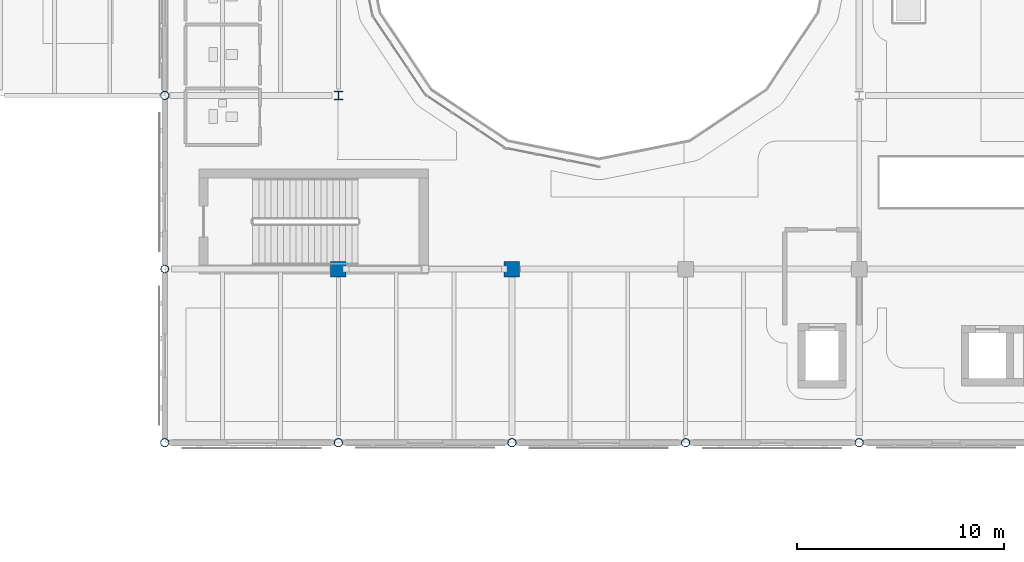
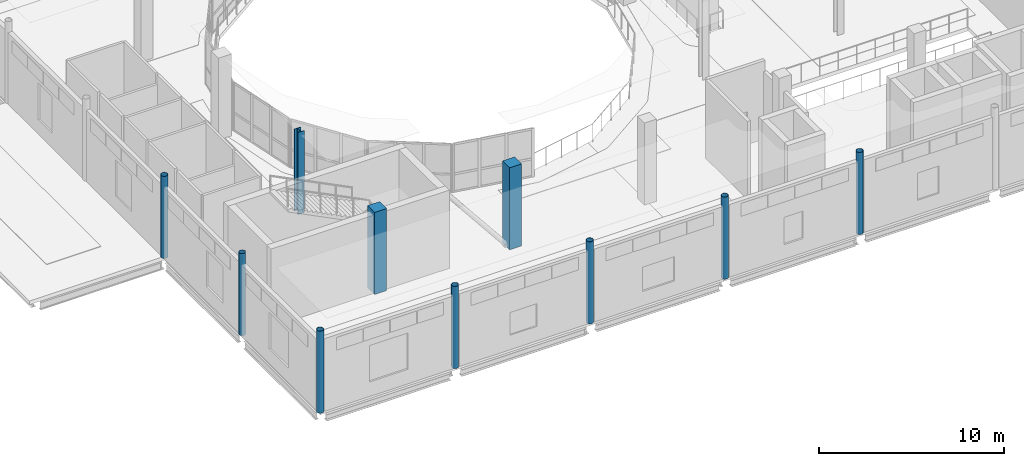
# One storey, part 1 of 110: 10 columns.
"""IFC4 building model written with IfcOpenShell, lengths in metres."""

from ifc_helpers import new_model, si_unit, direction, frame, origin, origin_2d, place, context, subcontext, project, spatial, rectangle, hollow_circle, i_section, extrude, material, material_profile, profile_set, type_object, element, save


model = new_model("IFC4")

# Units and contexts
model_context = context("Model", 3, precision=1e-05, world=origin(), true_north=direction((0.0, 1.0)))
body_context = subcontext(model_context, "Body", "Model", "MODEL_VIEW")
ifc_project = project(units=[si_unit("LENGTHUNIT", "METRE"), si_unit("AREAUNIT", "SQUARE_METRE"), si_unit("VOLUMEUNIT", "CUBIC_METRE"), si_unit("PLANEANGLEUNIT", "RADIAN"), si_unit("MASSUNIT", "GRAM", prefix="KILO"), si_unit("THERMODYNAMICTEMPERATUREUNIT", "KELVIN")], contexts=[model_context])

# Site, building, storey
site_placement = place(None, origin())
site = spatial("IfcSite", under=ifc_project, at=site_placement, CompositionType="ELEMENT")
building_placement = place(site_placement, origin())
building = spatial("IfcBuilding", under=site, at=building_placement, Name="Lustrewick Department Store", CompositionType="ELEMENT")
storey_placement = place(building_placement, frame((0.0, 0.0, 6.0)))
storey = spatial("IfcBuildingStorey", under=building, at=storey_placement, Name="L02", CompositionType="ELEMENT", Elevation=6.0)

# Columns
ifc_material_1 = material(Name="Structural steel Q355C", Category="steel")
ifc_material_profile_1 = material_profile(ifc_material_1, i_section(OverallWidth=0.405029296875, OverallDepth=0.4140625, WebThickness=0.01806640625, FlangeThickness=0.028076171875, FilletRadius=0.02197265625, at=origin_2d()), Name="HW 414x405x18x28")
ifc_profile_set_1 = profile_set([ifc_material_profile_1], Name="Structural steel Q355C")
column_type_1 = type_object("IfcColumnType", Name="C10", PredefinedType="COLUMN", material=ifc_profile_set_1)
column_1_placement = place(storey_placement, frame((16.800048828125, 58.800048828125, 0.0), z_axis=(0.0, 0.0, 1.0), x_axis=(1.0, 0.0, 0.0)))
element("IfcColumn", 1, at=column_1_placement, inside=storey, type_object=column_type_1, Name="L02 V1 Column C10", PredefinedType="COLUMN", context=body_context, shape_type="SweptSolid", body=[
    extrude(i_section(OverallWidth=0.405029296875, OverallDepth=0.4140625, WebThickness=0.01806640625, FlangeThickness=0.028076171875, FilletRadius=0.02197265625, at=origin_2d()), origin(), (0.0, 0.0, 1.0), 5.39990234375),
])
ifc_material_2 = material(Name="Concrete C40", Category="concrete")
ifc_material_profile_2 = material_profile(ifc_material_2, rectangle(XDim=0.75, YDim=0.75, at=origin_2d()), Name="RC 750x750")
ifc_profile_set_2 = profile_set([ifc_material_profile_2], Name="Concrete C40")
column_type_2 = type_object("IfcColumnType", Name="C20", PredefinedType="COLUMN", material=ifc_profile_set_2)
for number, where, z_axis, x_axis, name in (
    (2, (16.800048828125, 50.39990234375, 0.0), (0.0, 0.0, 1.0), (1.0, 0.0, 0.0), "L02 V1 Column C20"),
    (3, (25.199951171875, 50.39990234375, 0.0), (0.0, 0.0, 1.0), (1.0, 0.0, 0.0), "L02 V1 Column C20"),
):
    element("IfcColumn", number, at=place(storey_placement, frame(where, z_axis=z_axis, x_axis=x_axis)), inside=storey, type_object=column_type_2, Name=name, PredefinedType="COLUMN", context=body_context, shape_type="SweptSolid", body=[
        extrude(rectangle(XDim=0.75, YDim=0.75, at=origin_2d()), origin(), (0.0, 0.0, 1.0), 5.39990234375),
    ])
ifc_material_profile_3 = material_profile(ifc_material_1, hollow_circle(Radius=0.202880859375, WallThickness=0.01611328125, at=origin_2d()), Name="CHS 406x16")
ifc_profile_set_3 = profile_set([ifc_material_profile_3], Name="Structural steel Q355C")
column_type_3 = type_object("IfcColumnType", Name="CE03", PredefinedType="COLUMN", material=ifc_profile_set_3)
for number, where, z_axis, x_axis, name in (
    (4, (8.39990234375, 42.0, 0.0), (0.0, 0.0, 1.0), (1.0, 0.0, 0.0), "L02 V1 Column CE03"),
    (5, (8.39990234375, 58.800048828125, 0.0), (0.0, 0.0, 1.0), (1.0, 0.0, 0.0), "L02 V1 Column CE03"),
    (6, (16.800048828125, 42.0, 0.0), (0.0, 0.0, 1.0), (1.0, 0.0, 0.0), "L02 V1 Column CE03"),
    (7, (25.199951171875, 42.0, 0.0), (0.0, 0.0, 1.0), (1.0, 0.0, 0.0), "L02 V1 Column CE03"),
    (8, (33.60009765625, 42.0, 0.0), (0.0, 0.0, 1.0), (1.0, 0.0, 0.0), "L02 V1 Column CE03"),
    (9, (42.0, 42.0, 0.0), (0.0, 0.0, 1.0), (1.0, 0.0, 0.0), "L02 V1 Column CE03"),
):
    element("IfcColumn", number, at=place(storey_placement, frame(where, z_axis=z_axis, x_axis=x_axis)), inside=storey, type_object=column_type_3, Name=name, PredefinedType="COLUMN", context=body_context, shape_type="SweptSolid", body=[
        extrude(hollow_circle(Radius=0.202880859375, WallThickness=0.01611328125, at=origin_2d()), origin(), (0.0, 0.0, 1.0), 5.39990234375),
    ])
ifc_material_3 = material(Name="Structural steel Q355B", Category="steel")
ifc_material_profile_4 = material_profile(ifc_material_3, hollow_circle(Radius=0.1884765625, WallThickness=0.013916015625, at=origin_2d()), Name="CHS 377x14")
ifc_profile_set_4 = profile_set([ifc_material_profile_4], Name="Structural steel Q355B")
column_type_4 = type_object("IfcColumnType", Name="CE04", PredefinedType="COLUMN", material=ifc_profile_set_4)
column_2_placement = place(storey_placement, frame((8.39990234375, 50.39990234375, 0.0), z_axis=(0.0, 0.0, 1.0), x_axis=(1.0, 0.0, 0.0)))
element("IfcColumn", 10, at=column_2_placement, inside=storey, type_object=column_type_4, Name="L02 V1 Column CE04", PredefinedType="COLUMN", context=body_context, shape_type="SweptSolid", body=[
    extrude(hollow_circle(Radius=0.1884765625, WallThickness=0.013916015625, at=origin_2d()), origin(), (0.0, 0.0, 1.0), 5.39990234375),
])

save(model, "model.ifc")
